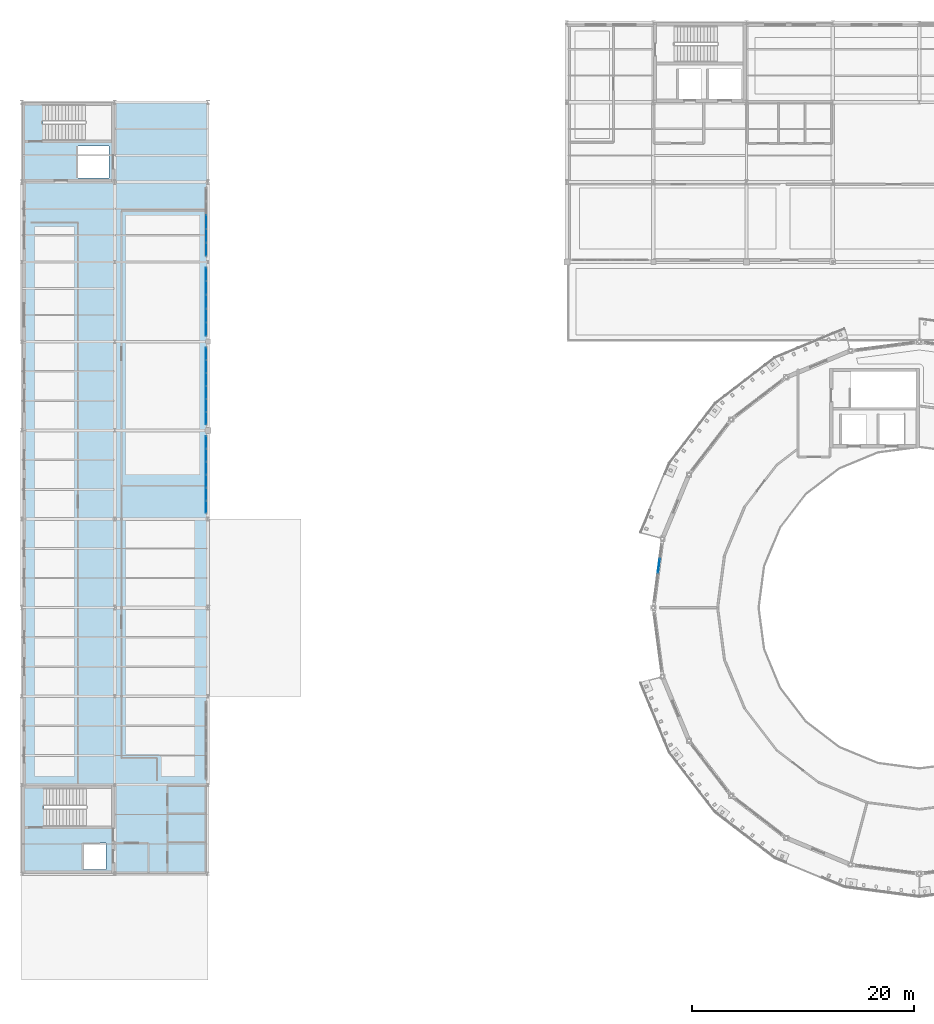
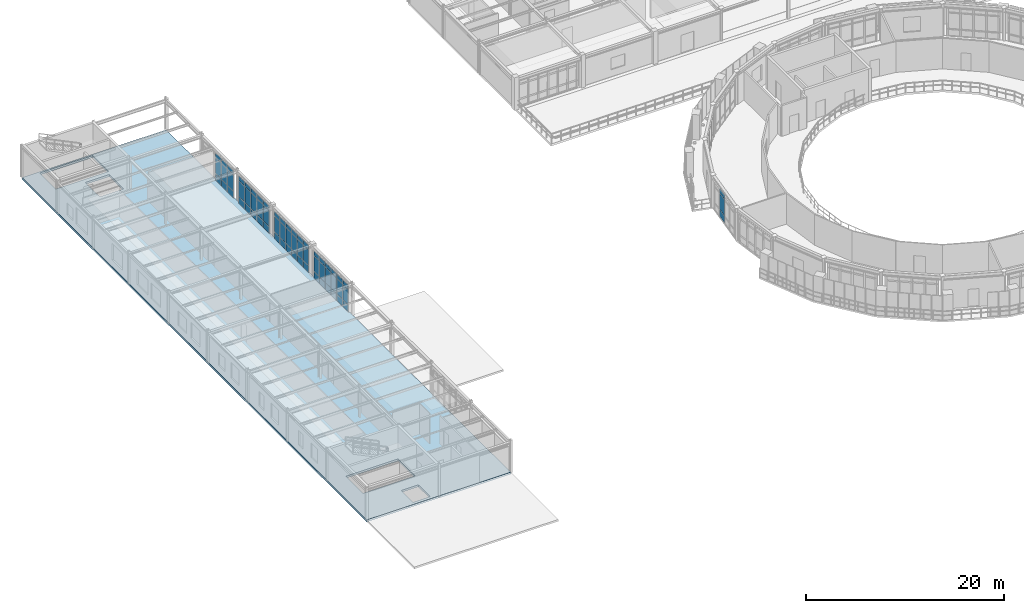
# One storey, part 34 of 58: 63 plates, 1 slab, 5 elements without a shape of their own.
"""IFC4 building model written with IfcOpenShell, lengths in metres."""

from ifc_helpers import new_model, si_unit, derived_unit, direction, frame, origin, origin_2d, place, context, subcontext, project, spatial, polyline, rectangle, outline, extrude, material, layer, layer_set, type_object, element, aggregate, save


model = new_model("IFC4")

# Units and contexts
model_context = context("Model", 3, precision=1e-05, world=origin(), true_north=direction((0.0, 1.0)))
body_context = subcontext(model_context, "Body", "Model", "MODEL_VIEW")
ifc_project = project(units=[si_unit("LENGTHUNIT", "METRE"), si_unit("AREAUNIT", "SQUARE_METRE"), si_unit("VOLUMEUNIT", "CUBIC_METRE"), si_unit("PLANEANGLEUNIT", "RADIAN"), si_unit("MASSUNIT", "GRAM", prefix="KILO"), derived_unit("THERMALTRANSMITTANCEUNIT", [(si_unit("POWERUNIT", "WATT"), 1), (si_unit("AREAUNIT", "SQUARE_METRE"), -1), (si_unit("THERMODYNAMICTEMPERATUREUNIT", "KELVIN"), -1)])], contexts=[model_context])

# Site, building, storey
site_placement = place(None, origin())
site = spatial("IfcSite", under=ifc_project, at=site_placement, CompositionType="ELEMENT")
building_placement = place(site_placement, origin())
building = spatial("IfcBuilding", under=site, at=building_placement, Name="Yasenodar Specialist Clinic", CompositionType="ELEMENT")
storey_placement = place(building_placement, frame((0.0, 0.0, 17.25)))
storey = spatial("IfcBuildingStorey", under=building, at=storey_placement, Name="L04", CompositionType="ELEMENT", Elevation=17.25)

# Curtain wall, plates
ifc_material_1 = material(Name="Bronze Anodized Aluminium and Triple Low-E Glass", Category="aluminium")
ifc_layer_1 = layer(ifc_material_1, 0.202880859375)
ifc_layer_set_1 = layer_set([ifc_layer_1], Name="Bronze Anodized Aluminium and Triple Low-E Glass")
curtain_wall_type_1 = type_object("IfcCurtainWallType", Name="CW-SYS-04", PredefinedType="USERDEFINED", material=ifc_layer_set_1)
curtain_wall_1_placement = place(storey_placement, origin())
curtain_wall_1 = element("IfcCurtainWall", 1, at=curtain_wall_1_placement, inside=storey, type_object=curtain_wall_type_1, Name="L04 Unitised Curtain Wall 136", ObjectType="UNITISED CURTAIN WALL", PredefinedType="USERDEFINED")
ifc_material_2 = material(Name="Triple Low-E Argon Glazing", Category="glass")
ifc_layer_2 = layer(ifc_material_2, 0.028076171875)
ifc_layer_set_2 = layer_set([ifc_layer_2], Name="Triple Low-E Argon Glazing")
plate_type_1 = type_object("IfcPlateType", Name="CW-PAN-1", PredefinedType="CURTAIN_PANEL", material=ifc_layer_set_2)
plate_1_placement = place(storey_placement, frame((16.64990234375, 93.60009765625, 0.06005859375), z_axis=(0.0, 0.0, 1.0), x_axis=(0.0, -1.0, 0.0)))
plate_1 = element("IfcPlate", 2, at=plate_1_placement, type_object=plate_type_1, Name="CW-04 panel 3.1", PredefinedType="CURTAIN_PANEL", context=body_context, shape_type="SweptSolid", body=[
    extrude(rectangle(XDim=1.18798828125, YDim=0.028076171875, at=origin_2d()), origin(), (0.0, 0.0, 1.0), 0.81005859375),
])
plate_2_placement = place(storey_placement, frame((16.64990234375, 93.60009765625, 0.929931640625), z_axis=(0.0, 0.0, 1.0), x_axis=(0.0, -1.0, 0.0)))
plate_2 = element("IfcPlate", 3, at=plate_2_placement, type_object=plate_type_1, Name="CW-04 panel 3.2", PredefinedType="CURTAIN_PANEL", context=body_context, shape_type="SweptSolid", body=[
    extrude(rectangle(XDim=1.18798828125, YDim=0.028076171875, at=origin_2d()), origin(), (0.0, 0.0, 1.0), 1.91796875),
])
plate_3_placement = place(storey_placement, frame((16.64990234375, 93.60009765625, 2.908203125), z_axis=(0.0, 0.0, 1.0), x_axis=(0.0, -1.0, 0.0)))
plate_3 = element("IfcPlate", 4, at=plate_3_placement, type_object=plate_type_1, Name="CW-04 panel 3.3", PredefinedType="CURTAIN_PANEL", context=body_context, shape_type="SweptSolid", body=[
    extrude(rectangle(XDim=1.18798828125, YDim=0.028076171875, at=origin_2d()), origin(), (0.0, 0.0, 1.0), 0.510009765625),
])
plate_4_placement = place(storey_placement, frame((16.64990234375, 92.35205078125, 0.06005859375), z_axis=(0.0, 0.0, 1.0), x_axis=(0.0, -1.0, 0.0)))
plate_4 = element("IfcPlate", 5, at=plate_4_placement, type_object=plate_type_1, Name="CW-04 panel 4.1", PredefinedType="CURTAIN_PANEL", context=body_context, shape_type="SweptSolid", body=[
    extrude(rectangle(XDim=1.18798828125, YDim=0.028076171875, at=origin_2d()), origin(), (0.0, 0.0, 1.0), 0.81005859375),
])
plate_5_placement = place(storey_placement, frame((16.64990234375, 92.35205078125, 0.929931640625), z_axis=(0.0, 0.0, 1.0), x_axis=(0.0, -1.0, 0.0)))
plate_5 = element("IfcPlate", 6, at=plate_5_placement, type_object=plate_type_1, Name="CW-04 panel 4.2", PredefinedType="CURTAIN_PANEL", context=body_context, shape_type="SweptSolid", body=[
    extrude(rectangle(XDim=1.18798828125, YDim=0.028076171875, at=origin_2d()), origin(), (0.0, 0.0, 1.0), 1.91796875),
])
plate_6_placement = place(storey_placement, frame((16.64990234375, 92.35205078125, 2.908203125), z_axis=(0.0, 0.0, 1.0), x_axis=(0.0, -1.0, 0.0)))
plate_6 = element("IfcPlate", 7, at=plate_6_placement, type_object=plate_type_1, Name="CW-04 panel 4.3", PredefinedType="CURTAIN_PANEL", context=body_context, shape_type="SweptSolid", body=[
    extrude(rectangle(XDim=1.18798828125, YDim=0.028076171875, at=origin_2d()), origin(), (0.0, 0.0, 1.0), 0.510009765625),
])
plate_7_placement = place(storey_placement, frame((16.64990234375, 91.118896484375, 0.06005859375), z_axis=(0.0, 0.0, 1.0), x_axis=(0.0, -1.0, 0.0)))
plate_7 = element("IfcPlate", 8, at=plate_7_placement, type_object=plate_type_1, Name="CW-04 panel 5.1", PredefinedType="CURTAIN_PANEL", context=body_context, shape_type="SweptSolid", body=[
    extrude(rectangle(XDim=1.157958984375, YDim=0.028076171875, at=origin_2d()), origin(), (0.0, 0.0, 1.0), 0.81005859375),
])
plate_8_placement = place(storey_placement, frame((16.64990234375, 91.118896484375, 0.929931640625), z_axis=(0.0, 0.0, 1.0), x_axis=(0.0, -1.0, 0.0)))
plate_8 = element("IfcPlate", 9, at=plate_8_placement, type_object=plate_type_1, Name="CW-04 panel 5.2", PredefinedType="CURTAIN_PANEL", context=body_context, shape_type="SweptSolid", body=[
    extrude(rectangle(XDim=1.157958984375, YDim=0.028076171875, at=origin_2d()), origin(), (0.0, 0.0, 1.0), 1.91796875),
])
plate_9_placement = place(storey_placement, frame((16.64990234375, 91.118896484375, 2.908203125), z_axis=(0.0, 0.0, 1.0), x_axis=(0.0, -1.0, 0.0)))
plate_9 = element("IfcPlate", 10, at=plate_9_placement, type_object=plate_type_1, Name="CW-04 panel 5.3", PredefinedType="CURTAIN_PANEL", context=body_context, shape_type="SweptSolid", body=[
    extrude(rectangle(XDim=1.157958984375, YDim=0.028076171875, at=origin_2d()), origin(), (0.0, 0.0, 1.0), 0.510009765625),
])
aggregate(curtain_wall_1, [plate_1, plate_2, plate_3, plate_4, plate_5, plate_6, plate_7, plate_8, plate_9])

curtain_wall_2_placement = place(storey_placement, origin())
curtain_wall_2 = element("IfcCurtainWall", 11, at=curtain_wall_2_placement, inside=storey, type_object=curtain_wall_type_1, Name="L04 Unitised Curtain Wall 137", ObjectType="UNITISED CURTAIN WALL", PredefinedType="USERDEFINED")
ifc_layer_3 = layer(ifc_material_2, 0.033935546875)
ifc_layer_set_3 = layer_set([ifc_layer_3], Name="Triple Low-E Argon Glazing")
plate_type_2 = type_object("IfcPlateType", Name="CW-PAN-2", PredefinedType="CURTAIN_PANEL", material=ifc_layer_set_3)
plate_10_placement = place(storey_placement, frame((16.64990234375, 88.881103515625, 0.06005859375), z_axis=(0.0, 0.0, 1.0), x_axis=(0.0, -1.0, 0.0)))
plate_10 = element("IfcPlate", 12, at=plate_10_placement, type_object=plate_type_2, Name="CW-04 panel 1.1", PredefinedType="CURTAIN_PANEL", context=body_context, shape_type="SweptSolid", body=[
    extrude(rectangle(XDim=1.157958984375, YDim=0.033935546875, at=origin_2d()), origin(), (0.0, 0.0, 1.0), 0.81005859375),
])
plate_11_placement = place(storey_placement, frame((16.64990234375, 88.881103515625, 0.929931640625), z_axis=(0.0, 0.0, 1.0), x_axis=(0.0, -1.0, 0.0)))
plate_11 = element("IfcPlate", 13, at=plate_11_placement, type_object=plate_type_2, Name="CW-04 panel 1.2", PredefinedType="CURTAIN_PANEL", context=body_context, shape_type="SweptSolid", body=[
    extrude(rectangle(XDim=1.157958984375, YDim=0.033935546875, at=origin_2d()), origin(), (0.0, 0.0, 1.0), 1.93798828125),
])
plate_12_placement = place(storey_placement, frame((16.64990234375, 88.881103515625, 2.92822265625), z_axis=(0.0, 0.0, 1.0), x_axis=(0.0, -1.0, 0.0)))
plate_12 = element("IfcPlate", 14, at=plate_12_placement, type_object=plate_type_2, Name="CW-04 panel 1.3", PredefinedType="CURTAIN_PANEL", context=body_context, shape_type="SweptSolid", body=[
    extrude(rectangle(XDim=1.157958984375, YDim=0.033935546875, at=origin_2d()), origin(), (0.0, 0.0, 1.0), 0.510009765625),
])
plate_13_placement = place(storey_placement, frame((16.64990234375, 87.64794921875, 0.06005859375), z_axis=(0.0, 0.0, 1.0), x_axis=(0.0, -1.0, 0.0)))
plate_13 = element("IfcPlate", 15, at=plate_13_placement, type_object=plate_type_2, Name="CW-04 panel 2.1", PredefinedType="CURTAIN_PANEL", context=body_context, shape_type="SweptSolid", body=[
    extrude(rectangle(XDim=1.18798828125, YDim=0.033935546875, at=origin_2d()), origin(), (0.0, 0.0, 1.0), 0.81005859375),
])
plate_14_placement = place(storey_placement, frame((16.64990234375, 87.64794921875, 0.929931640625), z_axis=(0.0, 0.0, 1.0), x_axis=(0.0, -1.0, 0.0)))
plate_14 = element("IfcPlate", 16, at=plate_14_placement, type_object=plate_type_2, Name="CW-04 panel 2.2", PredefinedType="CURTAIN_PANEL", context=body_context, shape_type="SweptSolid", body=[
    extrude(rectangle(XDim=1.18798828125, YDim=0.033935546875, at=origin_2d()), origin(), (0.0, 0.0, 1.0), 1.93798828125),
])
plate_15_placement = place(storey_placement, frame((16.64990234375, 87.64794921875, 2.92822265625), z_axis=(0.0, 0.0, 1.0), x_axis=(0.0, -1.0, 0.0)))
plate_15 = element("IfcPlate", 17, at=plate_15_placement, type_object=plate_type_2, Name="CW-04 panel 2.3", PredefinedType="CURTAIN_PANEL", context=body_context, shape_type="SweptSolid", body=[
    extrude(rectangle(XDim=1.18798828125, YDim=0.033935546875, at=origin_2d()), origin(), (0.0, 0.0, 1.0), 0.510009765625),
])
plate_16_placement = place(storey_placement, frame((16.64990234375, 86.39990234375, 0.06005859375), z_axis=(0.0, 0.0, 1.0), x_axis=(0.0, -1.0, 0.0)))
plate_16 = element("IfcPlate", 18, at=plate_16_placement, type_object=plate_type_2, Name="CW-04 panel 3.1", PredefinedType="CURTAIN_PANEL", context=body_context, shape_type="SweptSolid", body=[
    extrude(rectangle(XDim=1.18798828125, YDim=0.033935546875, at=origin_2d()), origin(), (0.0, 0.0, 1.0), 0.81005859375),
])
plate_17_placement = place(storey_placement, frame((16.64990234375, 86.39990234375, 0.929931640625), z_axis=(0.0, 0.0, 1.0), x_axis=(0.0, -1.0, 0.0)))
plate_17 = element("IfcPlate", 19, at=plate_17_placement, type_object=plate_type_2, Name="CW-04 panel 3.2", PredefinedType="CURTAIN_PANEL", context=body_context, shape_type="SweptSolid", body=[
    extrude(rectangle(XDim=1.18798828125, YDim=0.033935546875, at=origin_2d()), origin(), (0.0, 0.0, 1.0), 1.93798828125),
])
plate_18_placement = place(storey_placement, frame((16.64990234375, 86.39990234375, 2.92822265625), z_axis=(0.0, 0.0, 1.0), x_axis=(0.0, -1.0, 0.0)))
plate_18 = element("IfcPlate", 20, at=plate_18_placement, type_object=plate_type_2, Name="CW-04 panel 3.3", PredefinedType="CURTAIN_PANEL", context=body_context, shape_type="SweptSolid", body=[
    extrude(rectangle(XDim=1.18798828125, YDim=0.033935546875, at=origin_2d()), origin(), (0.0, 0.0, 1.0), 0.510009765625),
])
plate_19_placement = place(storey_placement, frame((16.64990234375, 85.152099609375, 0.06005859375), z_axis=(0.0, 0.0, 1.0), x_axis=(0.0, -1.0, 0.0)))
plate_19 = element("IfcPlate", 21, at=plate_19_placement, type_object=plate_type_2, Name="CW-04 panel 4.1", PredefinedType="CURTAIN_PANEL", context=body_context, shape_type="SweptSolid", body=[
    extrude(rectangle(XDim=1.18798828125, YDim=0.033935546875, at=origin_2d()), origin(), (0.0, 0.0, 1.0), 0.81005859375),
])
plate_20_placement = place(storey_placement, frame((16.64990234375, 85.152099609375, 0.929931640625), z_axis=(0.0, 0.0, 1.0), x_axis=(0.0, -1.0, 0.0)))
plate_20 = element("IfcPlate", 22, at=plate_20_placement, type_object=plate_type_2, Name="CW-04 panel 4.2", PredefinedType="CURTAIN_PANEL", context=body_context, shape_type="SweptSolid", body=[
    extrude(rectangle(XDim=1.18798828125, YDim=0.033935546875, at=origin_2d()), origin(), (0.0, 0.0, 1.0), 1.93798828125),
])
plate_21_placement = place(storey_placement, frame((16.64990234375, 85.152099609375, 2.92822265625), z_axis=(0.0, 0.0, 1.0), x_axis=(0.0, -1.0, 0.0)))
plate_21 = element("IfcPlate", 23, at=plate_21_placement, type_object=plate_type_2, Name="CW-04 panel 4.3", PredefinedType="CURTAIN_PANEL", context=body_context, shape_type="SweptSolid", body=[
    extrude(rectangle(XDim=1.18798828125, YDim=0.033935546875, at=origin_2d()), origin(), (0.0, 0.0, 1.0), 0.510009765625),
])
plate_22_placement = place(storey_placement, frame((16.64990234375, 83.9189453125, 0.06005859375), z_axis=(0.0, 0.0, 1.0), x_axis=(0.0, -1.0, 0.0)))
plate_22 = element("IfcPlate", 24, at=plate_22_placement, type_object=plate_type_2, Name="CW-04 panel 5.1", PredefinedType="CURTAIN_PANEL", context=body_context, shape_type="SweptSolid", body=[
    extrude(rectangle(XDim=1.157958984375, YDim=0.033935546875, at=origin_2d()), origin(), (0.0, 0.0, 1.0), 0.81005859375),
])
plate_23_placement = place(storey_placement, frame((16.64990234375, 83.9189453125, 0.929931640625), z_axis=(0.0, 0.0, 1.0), x_axis=(0.0, -1.0, 0.0)))
plate_23 = element("IfcPlate", 25, at=plate_23_placement, type_object=plate_type_2, Name="CW-04 panel 5.2", PredefinedType="CURTAIN_PANEL", context=body_context, shape_type="SweptSolid", body=[
    extrude(rectangle(XDim=1.157958984375, YDim=0.033935546875, at=origin_2d()), origin(), (0.0, 0.0, 1.0), 1.93798828125),
])
plate_24_placement = place(storey_placement, frame((16.64990234375, 83.9189453125, 2.92822265625), z_axis=(0.0, 0.0, 1.0), x_axis=(0.0, -1.0, 0.0)))
plate_24 = element("IfcPlate", 26, at=plate_24_placement, type_object=plate_type_2, Name="CW-04 panel 5.3", PredefinedType="CURTAIN_PANEL", context=body_context, shape_type="SweptSolid", body=[
    extrude(rectangle(XDim=1.157958984375, YDim=0.033935546875, at=origin_2d()), origin(), (0.0, 0.0, 1.0), 0.510009765625),
])
aggregate(curtain_wall_2, [plate_10, plate_11, plate_12, plate_13, plate_14, plate_15, plate_16, plate_17, plate_18, plate_19, plate_20, plate_21, plate_22, plate_23, plate_24])

curtain_wall_3_placement = place(storey_placement, origin())
curtain_wall_3 = element("IfcCurtainWall", 27, at=curtain_wall_3_placement, inside=storey, type_object=curtain_wall_type_1, Name="L04 Unitised Curtain Wall 138", ObjectType="UNITISED CURTAIN WALL", PredefinedType="USERDEFINED")
ifc_layer_4 = layer(ifc_material_2, 0.0400390625)
ifc_layer_set_4 = layer_set([ifc_layer_4], Name="Triple Low-E Argon Glazing")
plate_type_3 = type_object("IfcPlateType", Name="CW-PAN-3", PredefinedType="CURTAIN_PANEL", material=ifc_layer_set_4)
plate_25_placement = place(storey_placement, frame((16.64990234375, 81.71826171875, 0.06005859375), z_axis=(0.0, 0.0, 1.0), x_axis=(0.0, -1.0, 0.0)))
plate_25 = element("IfcPlate", 28, at=plate_25_placement, type_object=plate_type_3, Name="CW-04 panel 1.1", PredefinedType="CURTAIN_PANEL", context=body_context, shape_type="SweptSolid", body=[
    extrude(rectangle(XDim=1.083251953125, YDim=0.0400390625, at=origin_2d()), origin(), (0.0, 0.0, 1.0), 0.81005859375),
])
plate_26_placement = place(storey_placement, frame((16.64990234375, 81.71826171875, 0.929931640625), z_axis=(0.0, 0.0, 1.0), x_axis=(0.0, -1.0, 0.0)))
plate_26 = element("IfcPlate", 29, at=plate_26_placement, type_object=plate_type_3, Name="CW-04 panel 1.2", PredefinedType="CURTAIN_PANEL", context=body_context, shape_type="SweptSolid", body=[
    extrude(rectangle(XDim=1.083251953125, YDim=0.0400390625, at=origin_2d()), origin(), (0.0, 0.0, 1.0), 1.91796875),
])
plate_27_placement = place(storey_placement, frame((16.64990234375, 81.71826171875, 2.908203125), z_axis=(0.0, 0.0, 1.0), x_axis=(0.0, -1.0, 0.0)))
plate_27 = element("IfcPlate", 30, at=plate_27_placement, type_object=plate_type_3, Name="CW-04 panel 1.3", PredefinedType="CURTAIN_PANEL", context=body_context, shape_type="SweptSolid", body=[
    extrude(rectangle(XDim=1.083251953125, YDim=0.0400390625, at=origin_2d()), origin(), (0.0, 0.0, 1.0), 0.510009765625),
])
plate_28_placement = place(storey_placement, frame((16.64990234375, 80.56005859375, 0.06005859375), z_axis=(0.0, 0.0, 1.0), x_axis=(0.0, -1.0, 0.0)))
plate_28 = element("IfcPlate", 31, at=plate_28_placement, type_object=plate_type_3, Name="CW-04 panel 2.1", PredefinedType="CURTAIN_PANEL", context=body_context, shape_type="SweptSolid", body=[
    extrude(rectangle(XDim=1.11328125, YDim=0.0400390625, at=origin_2d()), origin(), (0.0, 0.0, 1.0), 0.81005859375),
])
plate_29_placement = place(storey_placement, frame((16.64990234375, 80.56005859375, 0.929931640625), z_axis=(0.0, 0.0, 1.0), x_axis=(0.0, -1.0, 0.0)))
plate_29 = element("IfcPlate", 32, at=plate_29_placement, type_object=plate_type_3, Name="CW-04 panel 2.2", PredefinedType="CURTAIN_PANEL", context=body_context, shape_type="SweptSolid", body=[
    extrude(rectangle(XDim=1.11328125, YDim=0.0400390625, at=origin_2d()), origin(), (0.0, 0.0, 1.0), 1.91796875),
])
plate_30_placement = place(storey_placement, frame((16.64990234375, 80.56005859375, 2.908203125), z_axis=(0.0, 0.0, 1.0), x_axis=(0.0, -1.0, 0.0)))
plate_30 = element("IfcPlate", 33, at=plate_30_placement, type_object=plate_type_3, Name="CW-04 panel 2.3", PredefinedType="CURTAIN_PANEL", context=body_context, shape_type="SweptSolid", body=[
    extrude(rectangle(XDim=1.11328125, YDim=0.0400390625, at=origin_2d()), origin(), (0.0, 0.0, 1.0), 0.510009765625),
])
plate_31_placement = place(storey_placement, frame((16.64990234375, 79.38671875, 0.06005859375), z_axis=(0.0, 0.0, 1.0), x_axis=(0.0, -1.0, 0.0)))
plate_31 = element("IfcPlate", 34, at=plate_31_placement, type_object=plate_type_3, Name="CW-04 panel 3.1", PredefinedType="CURTAIN_PANEL", context=body_context, shape_type="SweptSolid", body=[
    extrude(rectangle(XDim=1.11328125, YDim=0.0400390625, at=origin_2d()), origin(), (0.0, 0.0, 1.0), 0.81005859375),
])
plate_32_placement = place(storey_placement, frame((16.64990234375, 79.38671875, 0.929931640625), z_axis=(0.0, 0.0, 1.0), x_axis=(0.0, -1.0, 0.0)))
plate_32 = element("IfcPlate", 35, at=plate_32_placement, type_object=plate_type_3, Name="CW-04 panel 3.2", PredefinedType="CURTAIN_PANEL", context=body_context, shape_type="SweptSolid", body=[
    extrude(rectangle(XDim=1.11328125, YDim=0.0400390625, at=origin_2d()), origin(), (0.0, 0.0, 1.0), 1.91796875),
])
plate_33_placement = place(storey_placement, frame((16.64990234375, 79.38671875, 2.908203125), z_axis=(0.0, 0.0, 1.0), x_axis=(0.0, -1.0, 0.0)))
plate_33 = element("IfcPlate", 36, at=plate_33_placement, type_object=plate_type_3, Name="CW-04 panel 3.3", PredefinedType="CURTAIN_PANEL", context=body_context, shape_type="SweptSolid", body=[
    extrude(rectangle(XDim=1.11328125, YDim=0.0400390625, at=origin_2d()), origin(), (0.0, 0.0, 1.0), 0.510009765625),
])
plate_34_placement = place(storey_placement, frame((16.64990234375, 78.21337890625, 0.06005859375), z_axis=(0.0, 0.0, 1.0), x_axis=(0.0, -1.0, 0.0)))
plate_34 = element("IfcPlate", 37, at=plate_34_placement, type_object=plate_type_3, Name="CW-04 panel 4.1", PredefinedType="CURTAIN_PANEL", context=body_context, shape_type="SweptSolid", body=[
    extrude(rectangle(XDim=1.11328125, YDim=0.0400390625, at=origin_2d()), origin(), (0.0, 0.0, 1.0), 0.81005859375),
])
plate_35_placement = place(storey_placement, frame((16.64990234375, 78.21337890625, 0.929931640625), z_axis=(0.0, 0.0, 1.0), x_axis=(0.0, -1.0, 0.0)))
plate_35 = element("IfcPlate", 38, at=plate_35_placement, type_object=plate_type_3, Name="CW-04 panel 4.2", PredefinedType="CURTAIN_PANEL", context=body_context, shape_type="SweptSolid", body=[
    extrude(rectangle(XDim=1.11328125, YDim=0.0400390625, at=origin_2d()), origin(), (0.0, 0.0, 1.0), 1.91796875),
])
plate_36_placement = place(storey_placement, frame((16.64990234375, 78.21337890625, 2.908203125), z_axis=(0.0, 0.0, 1.0), x_axis=(0.0, -1.0, 0.0)))
plate_36 = element("IfcPlate", 39, at=plate_36_placement, type_object=plate_type_3, Name="CW-04 panel 4.3", PredefinedType="CURTAIN_PANEL", context=body_context, shape_type="SweptSolid", body=[
    extrude(rectangle(XDim=1.11328125, YDim=0.0400390625, at=origin_2d()), origin(), (0.0, 0.0, 1.0), 0.510009765625),
])
plate_37_placement = place(storey_placement, frame((16.64990234375, 77.0400390625, 0.06005859375), z_axis=(0.0, 0.0, 1.0), x_axis=(0.0, -1.0, 0.0)))
plate_37 = element("IfcPlate", 40, at=plate_37_placement, type_object=plate_type_3, Name="CW-04 panel 5.1", PredefinedType="CURTAIN_PANEL", context=body_context, shape_type="SweptSolid", body=[
    extrude(rectangle(XDim=1.11328125, YDim=0.0400390625, at=origin_2d()), origin(), (0.0, 0.0, 1.0), 0.81005859375),
])
plate_38_placement = place(storey_placement, frame((16.64990234375, 77.0400390625, 0.929931640625), z_axis=(0.0, 0.0, 1.0), x_axis=(0.0, -1.0, 0.0)))
plate_38 = element("IfcPlate", 41, at=plate_38_placement, type_object=plate_type_3, Name="CW-04 panel 5.2", PredefinedType="CURTAIN_PANEL", context=body_context, shape_type="SweptSolid", body=[
    extrude(rectangle(XDim=1.11328125, YDim=0.0400390625, at=origin_2d()), origin(), (0.0, 0.0, 1.0), 1.91796875),
])
plate_39_placement = place(storey_placement, frame((16.64990234375, 77.0400390625, 2.908203125), z_axis=(0.0, 0.0, 1.0), x_axis=(0.0, -1.0, 0.0)))
plate_39 = element("IfcPlate", 42, at=plate_39_placement, type_object=plate_type_3, Name="CW-04 panel 5.3", PredefinedType="CURTAIN_PANEL", context=body_context, shape_type="SweptSolid", body=[
    extrude(rectangle(XDim=1.11328125, YDim=0.0400390625, at=origin_2d()), origin(), (0.0, 0.0, 1.0), 0.510009765625),
])
plate_40_placement = place(storey_placement, frame((16.64990234375, 75.881591796875, 0.06005859375), z_axis=(0.0, 0.0, 1.0), x_axis=(0.0, -1.0, 0.0)))
plate_40 = element("IfcPlate", 43, at=plate_40_placement, type_object=plate_type_3, Name="CW-04 panel 6.1", PredefinedType="CURTAIN_PANEL", context=body_context, shape_type="SweptSolid", body=[
    extrude(rectangle(XDim=1.083251953125, YDim=0.0400390625, at=origin_2d()), origin(), (0.0, 0.0, 1.0), 0.81005859375),
])
plate_41_placement = place(storey_placement, frame((16.64990234375, 75.881591796875, 0.929931640625), z_axis=(0.0, 0.0, 1.0), x_axis=(0.0, -1.0, 0.0)))
plate_41 = element("IfcPlate", 44, at=plate_41_placement, type_object=plate_type_3, Name="CW-04 panel 6.2", PredefinedType="CURTAIN_PANEL", context=body_context, shape_type="SweptSolid", body=[
    extrude(rectangle(XDim=1.083251953125, YDim=0.0400390625, at=origin_2d()), origin(), (0.0, 0.0, 1.0), 1.91796875),
])
plate_42_placement = place(storey_placement, frame((16.64990234375, 75.881591796875, 2.908203125), z_axis=(0.0, 0.0, 1.0), x_axis=(0.0, -1.0, 0.0)))
plate_42 = element("IfcPlate", 45, at=plate_42_placement, type_object=plate_type_3, Name="CW-04 panel 6.3", PredefinedType="CURTAIN_PANEL", context=body_context, shape_type="SweptSolid", body=[
    extrude(rectangle(XDim=1.083251953125, YDim=0.0400390625, at=origin_2d()), origin(), (0.0, 0.0, 1.0), 0.510009765625),
])
aggregate(curtain_wall_3, [plate_25, plate_26, plate_27, plate_28, plate_29, plate_30, plate_31, plate_32, plate_33, plate_34, plate_35, plate_36, plate_37, plate_38, plate_39, plate_40, plate_41, plate_42])

ifc_layer_5 = layer(ifc_material_1, 0.1669921875)
ifc_layer_set_5 = layer_set([ifc_layer_5], Name="Bronze Anodized Aluminium and Triple Low-E Glass")
curtain_wall_type_2 = type_object("IfcCurtainWallType", Name="CW-SYS-01", PredefinedType="USERDEFINED", material=ifc_layer_set_5)
curtain_wall_4_placement = place(storey_placement, origin())
curtain_wall_4 = element("IfcCurtainWall", 46, at=curtain_wall_4_placement, inside=storey, type_object=curtain_wall_type_2, Name="L04 Unitised Curtain Wall 063", ObjectType="UNITISED CURTAIN WALL", PredefinedType="USERDEFINED")
ifc_layer_6 = layer(ifc_material_2, 0.0458984375)
ifc_layer_set_6 = layer_set([ifc_layer_6], Name="Triple Low-E Argon Glazing")
plate_type_4 = type_object("IfcPlateType", Name="CW-PAN-4", PredefinedType="CURTAIN_PANEL", material=ifc_layer_set_6)
plate_43_placement = place(storey_placement, frame((57.495361328125, 62.563232421875, 0.06005859375), z_axis=(0.0, 0.0, 1.0), x_axis=(0.13051156024, 0.991446787601, 0.0)))
plate_43 = element("IfcPlate", 47, at=plate_43_placement, type_object=plate_type_4, Name="CW-01 panel 3.1", PredefinedType="CURTAIN_PANEL", context=body_context, shape_type="SweptSolid", body=[
    extrude(rectangle(XDim=1.266357421875, YDim=0.0458984375, at=origin_2d()), origin(), (0.0, 0.0, 1.0), 0.81005859375),
])
plate_44_placement = place(storey_placement, frame((57.495361328125, 62.563232421875, 0.93017578125), z_axis=(0.0, 0.0, 1.0), x_axis=(0.13051156024, 0.991446787601, 0.0)))
plate_44 = element("IfcPlate", 48, at=plate_44_placement, type_object=plate_type_4, Name="CW-01 panel 3.2", PredefinedType="CURTAIN_PANEL", context=body_context, shape_type="SweptSolid", body=[
    extrude(rectangle(XDim=1.266357421875, YDim=0.0458984375, at=origin_2d()), origin(), (0.0, 0.0, 1.0), 1.968017578125),
])
plate_45_placement = place(storey_placement, frame((57.495361328125, 62.563232421875, 2.9580078125), z_axis=(0.0, 0.0, 1.0), x_axis=(0.13051156024, 0.991446787601, 0.0)))
plate_45 = element("IfcPlate", 49, at=plate_45_placement, type_object=plate_type_4, Name="CW-01 panel 3.3", PredefinedType="CURTAIN_PANEL", context=body_context, shape_type="SweptSolid", body=[
    extrude(rectangle(XDim=1.266357421875, YDim=0.0458984375, at=origin_2d()), origin(), (0.0, 0.0, 1.0), 0.510009765625),
])
aggregate(curtain_wall_4, [plate_43, plate_44, plate_45])

curtain_wall_5_placement = place(storey_placement, origin())
curtain_wall_5 = element("IfcCurtainWall", 50, at=curtain_wall_5_placement, inside=storey, type_object=curtain_wall_type_1, Name="L04 Unitised Curtain Wall 139", ObjectType="UNITISED CURTAIN WALL", PredefinedType="USERDEFINED")
plate_46_placement = place(storey_placement, frame((16.64990234375, 73.71826171875, 0.06005859375), z_axis=(0.0, 0.0, 1.0), x_axis=(0.0, -1.0, 0.0)))
plate_46 = element("IfcPlate", 51, at=plate_46_placement, type_object=plate_type_4, Name="CW-04 panel 1.1", PredefinedType="CURTAIN_PANEL", context=body_context, shape_type="SweptSolid", body=[
    extrude(rectangle(XDim=1.083251953125, YDim=0.0458984375, at=origin_2d()), origin(), (0.0, 0.0, 1.0), 0.81005859375),
])
plate_47_placement = place(storey_placement, frame((16.64990234375, 73.71826171875, 0.929931640625), z_axis=(0.0, 0.0, 1.0), x_axis=(0.0, -1.0, 0.0)))
plate_47 = element("IfcPlate", 52, at=plate_47_placement, type_object=plate_type_4, Name="CW-04 panel 1.2", PredefinedType="CURTAIN_PANEL", context=body_context, shape_type="SweptSolid", body=[
    extrude(rectangle(XDim=1.083251953125, YDim=0.0458984375, at=origin_2d()), origin(), (0.0, 0.0, 1.0), 1.8779296875),
])
plate_48_placement = place(storey_placement, frame((16.64990234375, 73.71826171875, 2.8681640625), z_axis=(0.0, 0.0, 1.0), x_axis=(0.0, -1.0, 0.0)))
plate_48 = element("IfcPlate", 53, at=plate_48_placement, type_object=plate_type_4, Name="CW-04 panel 1.3", PredefinedType="CURTAIN_PANEL", context=body_context, shape_type="SweptSolid", body=[
    extrude(rectangle(XDim=1.083251953125, YDim=0.0458984375, at=origin_2d()), origin(), (0.0, 0.0, 1.0), 0.510009765625),
])
plate_49_placement = place(storey_placement, frame((16.64990234375, 72.56005859375, 0.06005859375), z_axis=(0.0, 0.0, 1.0), x_axis=(0.0, -1.0, 0.0)))
plate_49 = element("IfcPlate", 54, at=plate_49_placement, type_object=plate_type_4, Name="CW-04 panel 2.1", PredefinedType="CURTAIN_PANEL", context=body_context, shape_type="SweptSolid", body=[
    extrude(rectangle(XDim=1.11328125, YDim=0.0458984375, at=origin_2d()), origin(), (0.0, 0.0, 1.0), 0.81005859375),
])
plate_50_placement = place(storey_placement, frame((16.64990234375, 72.56005859375, 0.929931640625), z_axis=(0.0, 0.0, 1.0), x_axis=(0.0, -1.0, 0.0)))
plate_50 = element("IfcPlate", 55, at=plate_50_placement, type_object=plate_type_4, Name="CW-04 panel 2.2", PredefinedType="CURTAIN_PANEL", context=body_context, shape_type="SweptSolid", body=[
    extrude(rectangle(XDim=1.11328125, YDim=0.0458984375, at=origin_2d()), origin(), (0.0, 0.0, 1.0), 1.8779296875),
])
plate_51_placement = place(storey_placement, frame((16.64990234375, 72.56005859375, 2.8681640625), z_axis=(0.0, 0.0, 1.0), x_axis=(0.0, -1.0, 0.0)))
plate_51 = element("IfcPlate", 56, at=plate_51_placement, type_object=plate_type_4, Name="CW-04 panel 2.3", PredefinedType="CURTAIN_PANEL", context=body_context, shape_type="SweptSolid", body=[
    extrude(rectangle(XDim=1.11328125, YDim=0.0458984375, at=origin_2d()), origin(), (0.0, 0.0, 1.0), 0.510009765625),
])
plate_52_placement = place(storey_placement, frame((16.64990234375, 71.38671875, 0.06005859375), z_axis=(0.0, 0.0, 1.0), x_axis=(0.0, -1.0, 0.0)))
plate_52 = element("IfcPlate", 57, at=plate_52_placement, type_object=plate_type_4, Name="CW-04 panel 3.1", PredefinedType="CURTAIN_PANEL", context=body_context, shape_type="SweptSolid", body=[
    extrude(rectangle(XDim=1.11328125, YDim=0.0458984375, at=origin_2d()), origin(), (0.0, 0.0, 1.0), 0.81005859375),
])
plate_53_placement = place(storey_placement, frame((16.64990234375, 71.38671875, 0.929931640625), z_axis=(0.0, 0.0, 1.0), x_axis=(0.0, -1.0, 0.0)))
plate_53 = element("IfcPlate", 58, at=plate_53_placement, type_object=plate_type_4, Name="CW-04 panel 3.2", PredefinedType="CURTAIN_PANEL", context=body_context, shape_type="SweptSolid", body=[
    extrude(rectangle(XDim=1.11328125, YDim=0.0458984375, at=origin_2d()), origin(), (0.0, 0.0, 1.0), 1.8779296875),
])
plate_54_placement = place(storey_placement, frame((16.64990234375, 71.38671875, 2.8681640625), z_axis=(0.0, 0.0, 1.0), x_axis=(0.0, -1.0, 0.0)))
plate_54 = element("IfcPlate", 59, at=plate_54_placement, type_object=plate_type_4, Name="CW-04 panel 3.3", PredefinedType="CURTAIN_PANEL", context=body_context, shape_type="SweptSolid", body=[
    extrude(rectangle(XDim=1.11328125, YDim=0.0458984375, at=origin_2d()), origin(), (0.0, 0.0, 1.0), 0.510009765625),
])
plate_55_placement = place(storey_placement, frame((16.64990234375, 70.21337890625, 0.06005859375), z_axis=(0.0, 0.0, 1.0), x_axis=(0.0, -1.0, 0.0)))
plate_55 = element("IfcPlate", 60, at=plate_55_placement, type_object=plate_type_4, Name="CW-04 panel 4.1", PredefinedType="CURTAIN_PANEL", context=body_context, shape_type="SweptSolid", body=[
    extrude(rectangle(XDim=1.11328125, YDim=0.0458984375, at=origin_2d()), origin(), (0.0, 0.0, 1.0), 0.81005859375),
])
plate_56_placement = place(storey_placement, frame((16.64990234375, 70.21337890625, 0.929931640625), z_axis=(0.0, 0.0, 1.0), x_axis=(0.0, -1.0, 0.0)))
plate_56 = element("IfcPlate", 61, at=plate_56_placement, type_object=plate_type_4, Name="CW-04 panel 4.2", PredefinedType="CURTAIN_PANEL", context=body_context, shape_type="SweptSolid", body=[
    extrude(rectangle(XDim=1.11328125, YDim=0.0458984375, at=origin_2d()), origin(), (0.0, 0.0, 1.0), 1.8779296875),
])
plate_57_placement = place(storey_placement, frame((16.64990234375, 70.21337890625, 2.8681640625), z_axis=(0.0, 0.0, 1.0), x_axis=(0.0, -1.0, 0.0)))
plate_57 = element("IfcPlate", 62, at=plate_57_placement, type_object=plate_type_4, Name="CW-04 panel 4.3", PredefinedType="CURTAIN_PANEL", context=body_context, shape_type="SweptSolid", body=[
    extrude(rectangle(XDim=1.11328125, YDim=0.0458984375, at=origin_2d()), origin(), (0.0, 0.0, 1.0), 0.510009765625),
])
plate_58_placement = place(storey_placement, frame((16.64990234375, 69.0400390625, 0.06005859375), z_axis=(0.0, 0.0, 1.0), x_axis=(0.0, -1.0, 0.0)))
plate_58 = element("IfcPlate", 63, at=plate_58_placement, type_object=plate_type_4, Name="CW-04 panel 5.1", PredefinedType="CURTAIN_PANEL", context=body_context, shape_type="SweptSolid", body=[
    extrude(rectangle(XDim=1.11328125, YDim=0.0458984375, at=origin_2d()), origin(), (0.0, 0.0, 1.0), 0.81005859375),
])
plate_59_placement = place(storey_placement, frame((16.64990234375, 69.0400390625, 0.929931640625), z_axis=(0.0, 0.0, 1.0), x_axis=(0.0, -1.0, 0.0)))
plate_59 = element("IfcPlate", 64, at=plate_59_placement, type_object=plate_type_4, Name="CW-04 panel 5.2", PredefinedType="CURTAIN_PANEL", context=body_context, shape_type="SweptSolid", body=[
    extrude(rectangle(XDim=1.11328125, YDim=0.0458984375, at=origin_2d()), origin(), (0.0, 0.0, 1.0), 1.8779296875),
])
plate_60_placement = place(storey_placement, frame((16.64990234375, 69.0400390625, 2.8681640625), z_axis=(0.0, 0.0, 1.0), x_axis=(0.0, -1.0, 0.0)))
plate_60 = element("IfcPlate", 65, at=plate_60_placement, type_object=plate_type_4, Name="CW-04 panel 5.3", PredefinedType="CURTAIN_PANEL", context=body_context, shape_type="SweptSolid", body=[
    extrude(rectangle(XDim=1.11328125, YDim=0.0458984375, at=origin_2d()), origin(), (0.0, 0.0, 1.0), 0.510009765625),
])
plate_61_placement = place(storey_placement, frame((16.64990234375, 67.881591796875, 0.06005859375), z_axis=(0.0, 0.0, 1.0), x_axis=(0.0, -1.0, 0.0)))
plate_61 = element("IfcPlate", 66, at=plate_61_placement, type_object=plate_type_4, Name="CW-04 panel 6.1", PredefinedType="CURTAIN_PANEL", context=body_context, shape_type="SweptSolid", body=[
    extrude(rectangle(XDim=1.083251953125, YDim=0.0458984375, at=origin_2d()), origin(), (0.0, 0.0, 1.0), 0.81005859375),
])
plate_62_placement = place(storey_placement, frame((16.64990234375, 67.881591796875, 0.929931640625), z_axis=(0.0, 0.0, 1.0), x_axis=(0.0, -1.0, 0.0)))
plate_62 = element("IfcPlate", 67, at=plate_62_placement, type_object=plate_type_4, Name="CW-04 panel 6.2", PredefinedType="CURTAIN_PANEL", context=body_context, shape_type="SweptSolid", body=[
    extrude(rectangle(XDim=1.083251953125, YDim=0.0458984375, at=origin_2d()), origin(), (0.0, 0.0, 1.0), 1.8779296875),
])
plate_63_placement = place(storey_placement, frame((16.64990234375, 67.881591796875, 2.8681640625), z_axis=(0.0, 0.0, 1.0), x_axis=(0.0, -1.0, 0.0)))
plate_63 = element("IfcPlate", 68, at=plate_63_placement, type_object=plate_type_4, Name="CW-04 panel 6.3", PredefinedType="CURTAIN_PANEL", context=body_context, shape_type="SweptSolid", body=[
    extrude(rectangle(XDim=1.083251953125, YDim=0.0458984375, at=origin_2d()), origin(), (0.0, 0.0, 1.0), 0.510009765625),
])
aggregate(curtain_wall_5, [plate_46, plate_47, plate_48, plate_49, plate_50, plate_51, plate_52, plate_53, plate_54, plate_55, plate_56, plate_57, plate_58, plate_59, plate_60, plate_61, plate_62, plate_63])

# Slab
ifc_material_3 = material(Name="Concrete C30/37", Category="concrete")
ifc_layer_7 = layer(ifc_material_3, 0.25)
ifc_layer_set_7 = layer_set([ifc_layer_7], Name="Concrete C30/37")
slab_type = type_object("IfcSlabType", Name="SLB-FLR-250", PredefinedType="FLOOR", material=ifc_layer_set_7)
slab_placement = place(storey_placement, frame((0.0, 0.0, -0.25)))
element("IfcSlab", 69, at=slab_placement, inside=storey, type_object=slab_type, Name="L04 V4 structural slab", PredefinedType="FLOOR", context=body_context, shape_type="SweptSolid", body=[
    extrude(outline(polyline([(0.0, 104.39990234375), (16.800048828125, 104.39990234375), (16.800048828125, 34.800048828125), (0.0, 34.800048828125), (0.0, 104.39990234375)]), holes=[polyline([(8.1201171875, 39.06005859375), (8.1201171875, 42.510009765625), (2.02001953125, 42.510009765625), (2.02001953125, 39.06005859375), (8.1201171875, 39.06005859375)]), polyline([(8.1201171875, 100.9599609375), (8.1201171875, 104.199951171875), (1.929931640625, 104.199951171875), (1.929931640625, 100.9599609375), (8.1201171875, 100.9599609375)]), polyline([(7.60009765625, 35.14990234375), (7.60009765625, 37.550048828125), (5.60009765625, 37.550048828125), (5.60009765625, 35.14990234375), (7.60009765625, 35.14990234375)]), polyline([(7.89990234375, 97.550048828125), (7.89990234375, 100.449951171875), (5.10009765625, 100.449951171875), (5.10009765625, 97.550048828125), (7.89990234375, 97.550048828125)])]), origin(), (0.0, 0.0, 1.0), 0.25),
])

save(model, "model.ifc")
